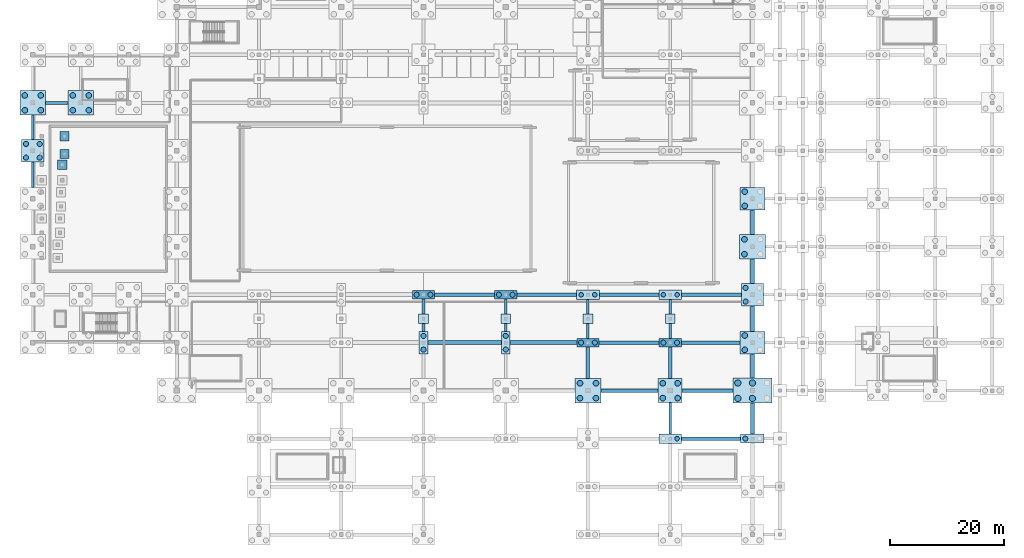
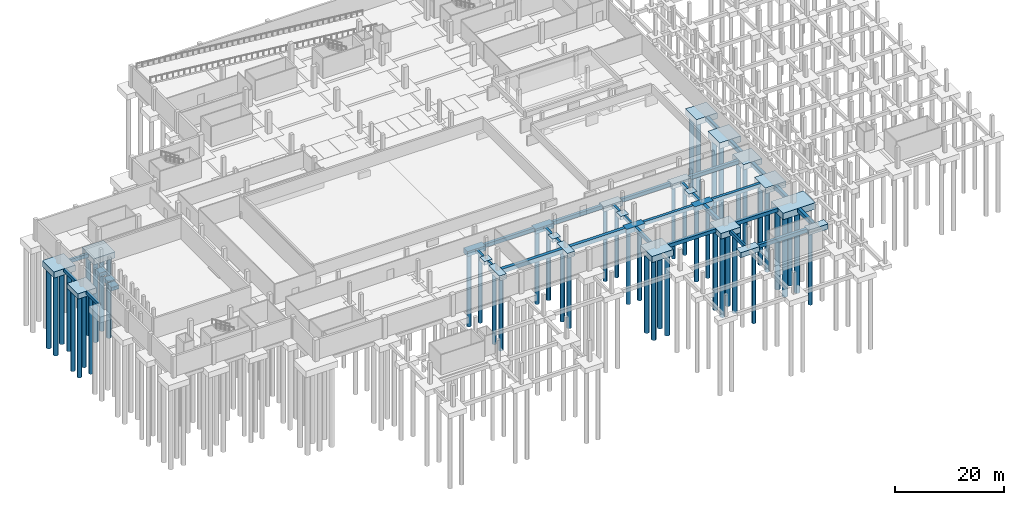
# One storey, part 3 of 26: 57 footings, 50 piles.
"""IFC4 building model written with IfcOpenShell, lengths in metres."""

from ifc_helpers import new_model, si_unit, direction, frame, origin, origin_2d, place, context, subcontext, project, spatial, rectangle, circle, extrude, material, material_profile, profile_set, type_object, element, save


model = new_model("IFC4")

# Units and contexts
model_context = context("Model", 3, precision=1e-05, world=origin(), true_north=direction((0.0, 1.0)))
body_context = subcontext(model_context, "Body", "Model", "MODEL_VIEW")
ifc_project = project(units=[si_unit("LENGTHUNIT", "METRE"), si_unit("AREAUNIT", "SQUARE_METRE"), si_unit("VOLUMEUNIT", "CUBIC_METRE"), si_unit("PLANEANGLEUNIT", "RADIAN"), si_unit("MASSUNIT", "GRAM", prefix="KILO"), si_unit("THERMODYNAMICTEMPERATUREUNIT", "KELVIN")], contexts=[model_context])

# Site, building, storey
site_placement = place(None, origin())
site = spatial("IfcSite", under=ifc_project, at=site_placement, CompositionType="ELEMENT")
building_placement = place(site_placement, origin())
building = spatial("IfcBuilding", under=site, at=building_placement, Name="Nduvali Passage Aquatics Centre", CompositionType="ELEMENT")
storey_placement = place(building_placement, frame((0.0, 0.0, -4.800048828125)))
storey = spatial("IfcBuildingStorey", under=building, at=storey_placement, Name="B01", CompositionType="ELEMENT", Elevation=-4.800048828125)

# Footings
ifc_material = material(Name="Concrete C40/50", Category="concrete")
footing_type_1 = type_object("IfcFootingType", Name="STR-GB-1", PredefinedType="FOOTING_BEAM", material=ifc_material)
footing_1_placement = place(storey_placement, frame((118.77490234375, 16.800048828125, -0.7998046875), z_axis=(0.0, 0.0, 1.0), x_axis=(1.0, 0.0, 0.0)))
element("IfcFooting", 1, at=footing_1_placement, inside=storey, type_object=footing_type_1, Name="Ground Beam X-0016", PredefinedType="FOOTING_BEAM", context=body_context, shape_type="SweptSolid", body=[
    extrude(rectangle(XDim=10.35009765625, YDim=0.60009765625, at=origin_2d()), origin(), (0.0, 0.0, 1.0), 0.800048828125),
])
footing_2_placement = place(storey_placement, frame((104.47509765625, 25.199951171875, -0.7998046875), z_axis=(0.0, 0.0, 1.0), x_axis=(1.0, 0.0, 0.0)))
element("IfcFooting", 2, at=footing_2_placement, inside=storey, type_object=footing_type_1, Name="Ground Beam X-0023", PredefinedType="FOOTING_BEAM", context=body_context, shape_type="SweptSolid", body=[
    extrude(rectangle(XDim=10.050048828125, YDim=0.60009765625, at=origin_2d()), origin(), (0.0, 0.0, 1.0), 0.800048828125),
])
footing_3_placement = place(storey_placement, frame((118.14990234375, 25.199951171875, -0.7998046875), z_axis=(0.0, 0.0, 1.0), x_axis=(1.0, 0.0, 0.0)))
element("IfcFooting", 3, at=footing_3_placement, inside=storey, type_object=footing_type_1, Name="Ground Beam X-0024", PredefinedType="FOOTING_BEAM", context=body_context, shape_type="SweptSolid", body=[
    extrude(rectangle(XDim=8.89990234375, YDim=0.60009765625, at=origin_2d()), origin(), (0.0, 0.0, 1.0), 0.800048828125),
])
footing_4_placement = place(storey_placement, frame((104.39990234375, 33.60009765625, -0.7998046875), z_axis=(0.0, 0.0, 1.0), x_axis=(1.0, 0.0, 0.0)))
element("IfcFooting", 4, at=footing_4_placement, inside=storey, type_object=footing_type_1, Name="Ground Beam X-0038", PredefinedType="FOOTING_BEAM", context=body_context, shape_type="SweptSolid", body=[
    extrude(rectangle(XDim=10.5, YDim=0.60009765625, at=origin_2d()), origin(), (0.0, 0.0, 1.0), 0.800048828125),
])
footing_5_placement = place(storey_placement, frame((118.675048828125, 33.60009765625, -0.7998046875), z_axis=(0.0, 0.0, 1.0), x_axis=(1.0, 0.0, 0.0)))
element("IfcFooting", 5, at=footing_5_placement, inside=storey, type_object=footing_type_1, Name="Ground Beam X-0039", PredefinedType="FOOTING_BEAM", context=body_context, shape_type="SweptSolid", body=[
    extrude(rectangle(XDim=10.25, YDim=0.60009765625, at=origin_2d()), origin(), (0.0, 0.0, 1.0), 0.800048828125),
])
footing_6_placement = place(storey_placement, frame((75.60009765625, 42.0, -0.7998046875), z_axis=(0.0, 0.0, 1.0), x_axis=(1.0, 0.0, 0.0)))
element("IfcFooting", 6, at=footing_6_placement, inside=storey, type_object=footing_type_1, Name="Ground Beam X-0052", PredefinedType="FOOTING_BEAM", context=body_context, shape_type="SweptSolid", body=[
    extrude(rectangle(XDim=10.5, YDim=0.60009765625, at=origin_2d()), origin(), (0.0, 0.0, 1.0), 0.800048828125),
])
footing_7_placement = place(storey_placement, frame((89.97509765625, 42.0, -0.7998046875), z_axis=(0.0, 0.0, 1.0), x_axis=(1.0, 0.0, 0.0)))
element("IfcFooting", 7, at=footing_7_placement, inside=storey, type_object=footing_type_1, Name="Ground Beam X-0053", PredefinedType="FOOTING_BEAM", context=body_context, shape_type="SweptSolid", body=[
    extrude(rectangle(XDim=10.449951171875, YDim=0.60009765625, at=origin_2d()), origin(), (0.0, 0.0, 1.0), 0.800048828125),
])
footing_8_placement = place(storey_placement, frame((104.39990234375, 42.0, -0.7998046875), z_axis=(0.0, 0.0, 1.0), x_axis=(1.0, 0.0, 0.0)))
element("IfcFooting", 8, at=footing_8_placement, inside=storey, type_object=footing_type_1, Name="Ground Beam X-0054", PredefinedType="FOOTING_BEAM", context=body_context, shape_type="SweptSolid", body=[
    extrude(rectangle(XDim=10.39990234375, YDim=0.60009765625, at=origin_2d()), origin(), (0.0, 0.0, 1.0), 0.800048828125),
])
footing_9_placement = place(storey_placement, frame((118.824951171875, 42.0, -0.7998046875), z_axis=(0.0, 0.0, 1.0), x_axis=(1.0, 0.0, 0.0)))
element("IfcFooting", 9, at=footing_9_placement, inside=storey, type_object=footing_type_1, Name="Ground Beam X-0055", PredefinedType="FOOTING_BEAM", context=body_context, shape_type="SweptSolid", body=[
    extrude(rectangle(XDim=10.449951171875, YDim=0.60009765625, at=origin_2d()), origin(), (0.0, 0.0, 1.0), 0.800048828125),
])
footing_10_placement = place(storey_placement, frame((97.199951171875, 30.10009765625, -0.7998046875), z_axis=(0.0, 0.0, 1.0), x_axis=(0.0, 1.0, 0.0)))
element("IfcFooting", 10, at=footing_10_placement, inside=storey, type_object=footing_type_1, Name="Ground Beam Y-0214", PredefinedType="FOOTING_BEAM", context=body_context, shape_type="SweptSolid", body=[
    extrude(rectangle(XDim=5.5, YDim=0.60009765625, at=origin_2d()), origin(), (0.0, 0.0, 1.0), 0.800048828125),
])
footing_11_placement = place(storey_placement, frame((111.60009765625, 30.074951171875, -0.7998046875), z_axis=(0.0, 0.0, 1.0), x_axis=(0.0, 1.0, 0.0)))
element("IfcFooting", 11, at=footing_11_placement, inside=storey, type_object=footing_type_1, Name="Ground Beam Y-0227", PredefinedType="FOOTING_BEAM", context=body_context, shape_type="SweptSolid", body=[
    extrude(rectangle(XDim=5.550048828125, YDim=0.60009765625, at=origin_2d()), origin(), (0.0, 0.0, 1.0), 0.800048828125),
])
footing_type_2 = type_object("IfcFootingType", Name="STR-GB-2", PredefinedType="FOOTING_BEAM", material=ifc_material)
footing_12_placement = place(storey_placement, frame((4.199951171875, 75.60009765625, -0.75), z_axis=(0.0, 0.0, 1.0), x_axis=(1.0, 0.0, 0.0)))
element("IfcFooting", 12, at=footing_12_placement, inside=storey, type_object=footing_type_2, Name="Ground Beam X-0082", PredefinedType="FOOTING_BEAM", context=body_context, shape_type="SweptSolid", body=[
    extrude(rectangle(XDim=3.89990234375, YDim=0.5, at=origin_2d()), origin(), (0.0, 0.0, 1.0), 0.75),
])
footing_type_3 = type_object("IfcFootingType", Name="STR-GB-3", PredefinedType="FOOTING_BEAM", material=ifc_material)
footing_13_placement = place(storey_placement, frame((126.0, 20.300048828125, -0.89990234375), z_axis=(0.0, 0.0, 1.0), x_axis=(0.0, 1.0, 0.0)))
element("IfcFooting", 13, at=footing_13_placement, inside=storey, type_object=footing_type_3, Name="Ground Beam Y-0239", PredefinedType="FOOTING_BEAM", context=body_context, shape_type="SweptSolid", body=[
    extrude(rectangle(XDim=5.39990234375, YDim=0.64990234375, at=origin_2d()), origin(), (0.0, 0.0, 1.0), 0.89990234375),
])
footing_14_placement = place(storey_placement, frame((126.0, 29.5, -0.89990234375), z_axis=(0.0, 0.0, 1.0), x_axis=(0.0, 1.0, 0.0)))
element("IfcFooting", 14, at=footing_14_placement, inside=storey, type_object=footing_type_3, Name="Ground Beam Y-0240", PredefinedType="FOOTING_BEAM", context=body_context, shape_type="SweptSolid", body=[
    extrude(rectangle(XDim=4.199951171875, YDim=0.64990234375, at=origin_2d()), origin(), (0.0, 0.0, 1.0), 0.89990234375),
])
footing_15_placement = place(storey_placement, frame((126.0, 37.824951171875, -0.89990234375), z_axis=(0.0, 0.0, 1.0), x_axis=(0.0, 1.0, 0.0)))
element("IfcFooting", 15, at=footing_15_placement, inside=storey, type_object=footing_type_3, Name="Ground Beam Y-0241", PredefinedType="FOOTING_BEAM", context=body_context, shape_type="SweptSolid", body=[
    extrude(rectangle(XDim=4.449951171875, YDim=0.64990234375, at=origin_2d()), origin(), (0.0, 0.0, 1.0), 0.89990234375),
])
footing_16_placement = place(storey_placement, frame((126.0, 46.10009765625, -0.89990234375), z_axis=(0.0, 0.0, 1.0), x_axis=(0.0, 1.0, 0.0)))
element("IfcFooting", 16, at=footing_16_placement, inside=storey, type_object=footing_type_3, Name="Ground Beam Y-0242", PredefinedType="FOOTING_BEAM", context=body_context, shape_type="SweptSolid", body=[
    extrude(rectangle(XDim=4.300048828125, YDim=0.64990234375, at=origin_2d()), origin(), (0.0, 0.0, 1.0), 0.89990234375),
])
footing_17_placement = place(storey_placement, frame((126.0, 54.675048828125, -0.89990234375), z_axis=(0.0, 0.0, 1.0), x_axis=(0.0, 1.0, 0.0)))
element("IfcFooting", 17, at=footing_17_placement, inside=storey, type_object=footing_type_3, Name="Ground Beam Y-0243", PredefinedType="FOOTING_BEAM", context=body_context, shape_type="SweptSolid", body=[
    extrude(rectangle(XDim=4.25, YDim=0.64990234375, at=origin_2d()), origin(), (0.0, 0.0, 1.0), 0.89990234375),
])
footing_type_4 = type_object("IfcFootingType", Name="STR-GB-5", PredefinedType="FOOTING_BEAM", material=ifc_material)
footing_18_placement = place(storey_placement, frame((75.60009765625, 33.60009765625, -0.94970703125), z_axis=(0.0, 0.0, 1.0), x_axis=(1.0, 0.0, 0.0)))
element("IfcFooting", 18, at=footing_18_placement, inside=storey, type_object=footing_type_4, Name="Ground Beam X-0036", PredefinedType="FOOTING_BEAM", context=body_context, shape_type="SweptSolid", body=[
    extrude(rectangle(XDim=12.85009765625, YDim=0.699951171875, at=origin_2d()), origin(), (0.0, 0.0, 1.0), 0.949951171875),
])
footing_19_placement = place(storey_placement, frame((89.41259765625, 33.60009765625, -0.94970703125), z_axis=(0.0, 0.0, 1.0), x_axis=(1.0, 0.0, 0.0)))
element("IfcFooting", 19, at=footing_19_placement, inside=storey, type_object=footing_type_4, Name="Ground Beam X-0037", PredefinedType="FOOTING_BEAM", context=body_context, shape_type="SweptSolid", body=[
    extrude(rectangle(XDim=11.675048828125, YDim=0.699951171875, at=origin_2d()), origin(), (0.0, 0.0, 1.0), 0.949951171875),
])
footing_type_5 = type_object("IfcFootingType", Name="STR-GB-6", PredefinedType="FOOTING_BEAM", material=ifc_material)
footing_20_placement = place(storey_placement, frame((0.0, 63.02490234375, -0.69970703125), z_axis=(0.0, 0.0, 1.0), x_axis=(0.0, 1.0, 0.0)))
element("IfcFooting", 20, at=footing_20_placement, inside=storey, type_object=footing_type_5, Name="Ground Beam Y-0150", PredefinedType="FOOTING_BEAM", context=body_context, shape_type="SweptSolid", body=[
    extrude(rectangle(XDim=4.449951171875, YDim=0.449951171875, at=origin_2d()), origin(), (0.0, 0.0, 1.0), 0.699951171875),
])
footing_21_placement = place(storey_placement, frame((0.0, 71.300048828125, -0.69970703125), z_axis=(0.0, 0.0, 1.0), x_axis=(0.0, 1.0, 0.0)))
element("IfcFooting", 21, at=footing_21_placement, inside=storey, type_object=footing_type_5, Name="Ground Beam Y-0151", PredefinedType="FOOTING_BEAM", context=body_context, shape_type="SweptSolid", body=[
    extrude(rectangle(XDim=4.300048828125, YDim=0.449951171875, at=origin_2d()), origin(), (0.0, 0.0, 1.0), 0.699951171875),
])
footing_22_placement = place(storey_placement, frame((68.39990234375, 36.262451171875, -0.69970703125), z_axis=(0.0, 0.0, 1.0), x_axis=(0.0, 1.0, 0.0)))
element("IfcFooting", 22, at=footing_22_placement, inside=storey, type_object=footing_type_5, Name="Ground Beam Y-0193", PredefinedType="FOOTING_BEAM", context=body_context, shape_type="SweptSolid", body=[
    extrude(rectangle(XDim=1.375, YDim=0.449951171875, at=origin_2d()), origin(), (0.0, 0.0, 1.0), 0.699951171875),
])
footing_23_placement = place(storey_placement, frame((68.39990234375, 39.949951171875, -0.69970703125), z_axis=(0.0, 0.0, 1.0), x_axis=(0.0, 1.0, 0.0)))
element("IfcFooting", 23, at=footing_23_placement, inside=storey, type_object=footing_type_5, Name="Ground Beam Y-0194", PredefinedType="FOOTING_BEAM", context=body_context, shape_type="SweptSolid", body=[
    extrude(rectangle(XDim=2.60009765625, YDim=0.449951171875, at=origin_2d()), origin(), (0.0, 0.0, 1.0), 0.699951171875),
])
footing_24_placement = place(storey_placement, frame((82.800048828125, 36.262451171875, -0.69970703125), z_axis=(0.0, 0.0, 1.0), x_axis=(0.0, 1.0, 0.0)))
element("IfcFooting", 24, at=footing_24_placement, inside=storey, type_object=footing_type_5, Name="Ground Beam Y-0203", PredefinedType="FOOTING_BEAM", context=body_context, shape_type="SweptSolid", body=[
    extrude(rectangle(XDim=1.375, YDim=0.449951171875, at=origin_2d()), origin(), (0.0, 0.0, 1.0), 0.699951171875),
])
for number, where, z_axis, x_axis, name in (
    (25, (82.800048828125, 39.949951171875, -0.69970703125), (0.0, 0.0, 1.0), (0.0, 1.0, 0.0), "Ground Beam Y-0204"),
    (26, (97.199951171875, 35.64990234375, -0.69970703125), (0.0, 0.0, 1.0), (0.0, 1.0, 0.0), "Ground Beam Y-0215"),
):
    element("IfcFooting", number, at=place(storey_placement, frame(where, z_axis=z_axis, x_axis=x_axis)), inside=storey, type_object=footing_type_5, Name=name, PredefinedType="FOOTING_BEAM", context=body_context, shape_type="SweptSolid", body=[
        extrude(rectangle(XDim=2.60009765625, YDim=0.449951171875, at=origin_2d()), origin(), (0.0, 0.0, 1.0), 0.699951171875),
    ])
footing_25_placement = place(storey_placement, frame((97.199951171875, 39.91259765625, -0.69970703125), z_axis=(0.0, 0.0, 1.0), x_axis=(0.0, 1.0, 0.0)))
element("IfcFooting", 27, at=footing_25_placement, inside=storey, type_object=footing_type_5, Name="Ground Beam Y-0216", PredefinedType="FOOTING_BEAM", context=body_context, shape_type="SweptSolid", body=[
    extrude(rectangle(XDim=2.52490234375, YDim=0.449951171875, at=origin_2d()), origin(), (0.0, 0.0, 1.0), 0.699951171875),
])
footing_26_placement = place(storey_placement, frame((111.60009765625, 20.362548828125, -0.69970703125), z_axis=(0.0, 0.0, 1.0), x_axis=(0.0, 1.0, 0.0)))
element("IfcFooting", 28, at=footing_26_placement, inside=storey, type_object=footing_type_5, Name="Ground Beam Y-0226", PredefinedType="FOOTING_BEAM", context=body_context, shape_type="SweptSolid", body=[
    extrude(rectangle(XDim=5.47509765625, YDim=0.449951171875, at=origin_2d()), origin(), (0.0, 0.0, 1.0), 0.699951171875),
])
footing_27_placement = place(storey_placement, frame((111.60009765625, 35.64990234375, -0.69970703125), z_axis=(0.0, 0.0, 1.0), x_axis=(0.0, 1.0, 0.0)))
element("IfcFooting", 29, at=footing_27_placement, inside=storey, type_object=footing_type_5, Name="Ground Beam Y-0228", PredefinedType="FOOTING_BEAM", context=body_context, shape_type="SweptSolid", body=[
    extrude(rectangle(XDim=2.60009765625, YDim=0.449951171875, at=origin_2d()), origin(), (0.0, 0.0, 1.0), 0.699951171875),
])
footing_28_placement = place(storey_placement, frame((111.60009765625, 39.91259765625, -0.69970703125), z_axis=(0.0, 0.0, 1.0), x_axis=(0.0, 1.0, 0.0)))
element("IfcFooting", 30, at=footing_28_placement, inside=storey, type_object=footing_type_5, Name="Ground Beam Y-0229", PredefinedType="FOOTING_BEAM", context=body_context, shape_type="SweptSolid", body=[
    extrude(rectangle(XDim=2.52490234375, YDim=0.449951171875, at=origin_2d()), origin(), (0.0, 0.0, 1.0), 0.699951171875),
])
footing_type_6 = type_object("IfcFootingType", Name="STR-PC-2A", PredefinedType="PILE_CAP", material=ifc_material)
for number, where, z_axis, x_axis, name in (
    (31, (68.39990234375, 42.0, -1.10009765625), (0.0, 0.0, 1.0), (1.0, 0.0, 0.0), "Pile Cap PC2A at (68.4, 42.0)"),
    (32, (82.800048828125, 42.0, -1.10009765625), (0.0, 0.0, 1.0), (1.0, 0.0, 0.0), "Pile Cap PC2A at (82.8, 42.0)"),
    (33, (97.199951171875, 33.60009765625, -1.10009765625), (0.0, 0.0, 1.0), (1.0, 0.0, 0.0), "Pile Cap PC2A at (97.2, 33.6)"),
    (34, (111.60009765625, 33.60009765625, -1.10009765625), (0.0, 0.0, 1.0), (1.0, 0.0, 0.0), "Pile Cap PC2A at (111.6, 33.6)"),
):
    element("IfcFooting", number, at=place(storey_placement, frame(where, z_axis=z_axis, x_axis=x_axis)), inside=storey, type_object=footing_type_6, Name=name, PredefinedType="PILE_CAP", context=body_context, shape_type="SweptSolid", body=[
        extrude(rectangle(XDim=3.89990234375, YDim=1.5, at=origin_2d()), origin(), (0.0, 0.0, 1.0), 1.10009765625),
    ])
footing_type_7 = type_object("IfcFootingType", Name="STR-PC-2B", PredefinedType="PILE_CAP", material=ifc_material)
for number, where, z_axis, x_axis, name in (
    (35, (68.39990234375, 33.60009765625, -1.10009765625), (0.0, 0.0, 1.0), (1.0, 0.0, 0.0), "Pile Cap PC2B at (68.4, 33.6)"),
    (36, (82.800048828125, 33.60009765625, -1.10009765625), (0.0, 0.0, 1.0), (1.0, 0.0, 0.0), "Pile Cap PC2B at (82.8, 33.6)"),
):
    element("IfcFooting", number, at=place(storey_placement, frame(where, z_axis=z_axis, x_axis=x_axis)), inside=storey, type_object=footing_type_7, Name=name, PredefinedType="PILE_CAP", context=body_context, shape_type="SweptSolid", body=[
        extrude(rectangle(XDim=1.550048828125, YDim=3.949951171875, at=origin_2d()), origin(), (0.0, 0.0, 1.0), 1.10009765625),
    ])
footing_type_8 = type_object("IfcFootingType", Name="STR-PC-2C", PredefinedType="PILE_CAP", material=ifc_material)
footing_29_placement = place(storey_placement, frame((126.0, 16.800048828125, -1.14990234375), z_axis=(0.0, 0.0, 1.0), x_axis=(1.0, 0.0, 0.0)))
element("IfcFooting", 37, at=footing_29_placement, inside=storey, type_object=footing_type_8, Name="Pile Cap PC2C at (126.0, 16.8)", PredefinedType="PILE_CAP", context=body_context, shape_type="SweptSolid", body=[
    extrude(rectangle(XDim=4.10009765625, YDim=1.60009765625, at=origin_2d()), origin(), (0.0, 0.0, 1.0), 1.14990234375),
])
footing_type_9 = type_object("IfcFootingType", Name="STR-PC-2D", PredefinedType="PILE_CAP", material=ifc_material)
for number, where, z_axis, x_axis, name in (
    (38, (97.199951171875, 42.0, -1.1201171875), (0.0, 0.0, 1.0), (1.0, 0.0, 0.0), "Pile Cap PC2D at (97.2, 42.0)"),
    (39, (111.60009765625, 16.800048828125, -1.1201171875), (0.0, 0.0, 1.0), (1.0, 0.0, 0.0), "Pile Cap PC2D at (111.6, 16.8)"),
    (40, (111.60009765625, 42.0, -1.1201171875), (0.0, 0.0, 1.0), (1.0, 0.0, 0.0), "Pile Cap PC2D at (111.6, 42.0)"),
):
    element("IfcFooting", number, at=place(storey_placement, frame(where, z_axis=z_axis, x_axis=x_axis)), inside=storey, type_object=footing_type_9, Name=name, PredefinedType="PILE_CAP", context=body_context, shape_type="SweptSolid", body=[
        extrude(rectangle(XDim=4.0, YDim=1.64990234375, at=origin_2d()), origin(), (0.0, 0.0, 1.0), 1.1201171875),
    ])
footing_type_10 = type_object("IfcFootingType", Name="STR-PC-4A", PredefinedType="PILE_CAP", material=ifc_material)
for number, where, z_axis, x_axis, name in (
    (41, (0.0, 67.199951171875, -1.19970703125), (0.0, 0.0, 1.0), (1.0, 0.0, 0.0), "Pile Cap PC4A at (0.0, 67.2)"),
    (42, (126.0, 42.0, -1.19970703125), (0.0, 0.0, 1.0), (1.0, 0.0, 0.0), "Pile Cap PC4A at (126.0, 42.0)"),
):
    element("IfcFooting", number, at=place(storey_placement, frame(where, z_axis=z_axis, x_axis=x_axis)), inside=storey, type_object=footing_type_10, Name=name, PredefinedType="PILE_CAP", context=body_context, shape_type="SweptSolid", body=[
        extrude(rectangle(XDim=3.89990234375, YDim=3.89990234375, at=origin_2d()), origin(), (0.0, 0.0, 1.0), 1.199951171875),
    ])
footing_type_11 = type_object("IfcFootingType", Name="STR-PC-4B", PredefinedType="PILE_CAP", material=ifc_material)
footing_30_placement = place(storey_placement, frame((111.60009765625, 25.199951171875, -1.25), z_axis=(0.0, 0.0, 1.0), x_axis=(1.0, 0.0, 0.0)))
element("IfcFooting", 43, at=footing_30_placement, inside=storey, type_object=footing_type_11, Name="Pile Cap PC4B at (111.6, 25.2)", PredefinedType="PILE_CAP", context=body_context, shape_type="SweptSolid", body=[
    extrude(rectangle(XDim=4.199951171875, YDim=4.199951171875, at=origin_2d()), origin(), (0.0, 0.0, 1.0), 1.25),
])
footing_type_12 = type_object("IfcFootingType", Name="STR-PC-4C", PredefinedType="PILE_CAP", material=ifc_material)
for number, where, z_axis, x_axis, name in (
    (44, (126.0, 33.60009765625, -1.2998046875), (0.0, 0.0, 1.0), (1.0, 0.0, 0.0), "Pile Cap PC4C at (126.0, 33.6)"),
    (45, (126.0, 58.800048828125, -1.2998046875), (0.0, 0.0, 1.0), (1.0, 0.0, 0.0), "Pile Cap PC4C at (126.0, 58.8)"),
):
    element("IfcFooting", number, at=place(storey_placement, frame(where, z_axis=z_axis, x_axis=x_axis)), inside=storey, type_object=footing_type_12, Name=name, PredefinedType="PILE_CAP", context=body_context, shape_type="SweptSolid", body=[
        extrude(rectangle(XDim=4.39990234375, YDim=4.0, at=origin_2d()), origin(), (0.0, 0.0, 1.0), 1.300048828125),
    ])
footing_type_13 = type_object("IfcFootingType", Name="STR-PC-4D", PredefinedType="PILE_CAP", material=ifc_material)
for number, where, z_axis, x_axis, name in (
    (46, (0.0, 75.60009765625, -1.35009765625), (0.0, 0.0, 1.0), (1.0, 0.0, 0.0), "Pile Cap PC4D at (0.0, 75.6)"),
    (47, (8.39990234375, 75.60009765625, -1.35009765625), (0.0, 0.0, 1.0), (1.0, 0.0, 0.0), "Pile Cap PC4D at (8.4, 75.6)"),
    (48, (97.199951171875, 25.199951171875, -1.35009765625), (0.0, 0.0, 1.0), (1.0, 0.0, 0.0), "Pile Cap PC4D at (97.2, 25.2)"),
    (49, (126.0, 50.39990234375, -1.35009765625), (0.0, 0.0, 1.0), (1.0, 0.0, 0.0), "Pile Cap PC4D at (126.0, 50.4)"),
):
    element("IfcFooting", number, at=place(storey_placement, frame(where, z_axis=z_axis, x_axis=x_axis)), inside=storey, type_object=footing_type_13, Name=name, PredefinedType="PILE_CAP", context=body_context, shape_type="SweptSolid", body=[
        extrude(rectangle(XDim=4.5, YDim=4.300048828125, at=origin_2d()), origin(), (0.0, 0.0, 1.0), 1.35009765625),
    ])
footing_type_14 = type_object("IfcFootingType", Name="STR-PC-6B", PredefinedType="PILE_CAP", material=ifc_material)
footing_31_placement = place(storey_placement, frame((126.0, 25.199951171875, -1.44970703125), z_axis=(0.0, 0.0, 1.0), x_axis=(1.0, 0.0, 0.0)))
element("IfcFooting", 50, at=footing_31_placement, inside=storey, type_object=footing_type_14, Name="Pile Cap PC6B at (126.0, 25.2)", PredefinedType="PILE_CAP", context=body_context, shape_type="SweptSolid", body=[
    extrude(rectangle(XDim=6.800048828125, YDim=4.39990234375, at=origin_2d()), origin(), (0.0, 0.0, 1.0), 1.449951171875),
])
footing_type_15 = type_object("IfcFootingType", Name="STR-PF-8", PredefinedType="PAD_FOOTING", material=ifc_material)
for number, where, z_axis, x_axis, name in (
    (51, (68.39990234375, 37.800048828125, -0.7998046875), (0.0, 0.0, 1.0), (1.0, 0.0, 0.0), "Pad Footing PF8 at (68.4, 37.8)"),
    (52, (82.800048828125, 37.800048828125, -0.7998046875), (0.0, 0.0, 1.0), (1.0, 0.0, 0.0), "Pad Footing PF8 at (82.8, 37.8)"),
    (53, (97.199951171875, 37.800048828125, -0.7998046875), (0.0, 0.0, 1.0), (1.0, 0.0, 0.0), "Pad Footing PF8 at (97.2, 37.8)"),
    (54, (111.60009765625, 37.800048828125, -0.7998046875), (0.0, 0.0, 1.0), (1.0, 0.0, 0.0), "Pad Footing PF8 at (111.6, 37.8)"),
):
    element("IfcFooting", number, at=place(storey_placement, frame(where, z_axis=z_axis, x_axis=x_axis)), inside=storey, type_object=footing_type_15, Name=name, PredefinedType="PAD_FOOTING", context=body_context, shape_type="SweptSolid", body=[
        extrude(rectangle(XDim=1.699951171875, YDim=1.699951171875, at=origin_2d()), origin(), (0.0, 0.0, 1.0), 0.800048828125),
    ])
footing_type_16 = type_object("IfcFootingType", Name="STR-PF-DIVE", PredefinedType="PAD_FOOTING", material=ifc_material)
for number, where, z_axis, x_axis, name in (
    (55, (5.14990234375, 64.75, -0.85009765625), (0.0, 0.0, 1.0), (1.0, 0.0, 0.0), "Pad Footing PF5 at (5.2, 64.8)"),
    (56, (5.550048828125, 66.64990234375, -0.85009765625), (0.0, 0.0, 1.0), (1.0, 0.0, 0.0), "Pad Footing PF5 at (5.5, 66.7)"),
    (57, (5.550048828125, 69.75, -0.85009765625), (0.0, 0.0, 1.0), (1.0, 0.0, 0.0), "Pad Footing PF5 at (5.5, 69.8)"),
):
    element("IfcFooting", number, at=place(storey_placement, frame(where, z_axis=z_axis, x_axis=x_axis)), inside=storey, type_object=footing_type_16, Name=name, PredefinedType="PAD_FOOTING", context=body_context, shape_type="SweptSolid", body=[
        extrude(rectangle(XDim=1.60009765625, YDim=1.60009765625, at=origin_2d()), origin(), (0.0, 0.0, 1.0), 0.85009765625),
    ])

# Piles
ifc_material_profile_1 = material_profile(ifc_material, circle(Radius=0.5, at=origin_2d()), Name="PILE D1000")
ifc_profile_set_1 = profile_set([ifc_material_profile_1], Name="Concrete C40/50")
pile_type_1 = type_object("IfcPileType", Name="STR-PILE-D1000", PredefinedType="BORED", material=ifc_profile_set_1)
for number, where, z_axis, x_axis, name in (
    (58, (-1.39990234375, 74.300048828125, -1.25), (0.0, 0.0, -1.0), (1.0, 0.0, 0.0), "Bored Pile 005-1"),
    (59, (1.39990234375, 74.300048828125, -1.25), (0.0, 0.0, -1.0), (1.0, 0.0, 0.0), "Bored Pile 005-2"),
    (60, (-1.39990234375, 76.89990234375, -1.25), (0.0, 0.0, -1.0), (1.0, 0.0, 0.0), "Bored Pile 005-3"),
    (61, (1.39990234375, 76.89990234375, -1.25), (0.0, 0.0, -1.0), (1.0, 0.0, 0.0), "Bored Pile 005-4"),
    (62, (7.0, 74.300048828125, -1.25), (0.0, 0.0, -1.0), (1.0, 0.0, 0.0), "Bored Pile 029-1"),
    (63, (9.800048828125, 74.300048828125, -1.25), (0.0, 0.0, -1.0), (1.0, 0.0, 0.0), "Bored Pile 029-2"),
    (64, (7.0, 76.89990234375, -1.25), (0.0, 0.0, -1.0), (1.0, 0.0, 0.0), "Bored Pile 029-3"),
    (65, (9.800048828125, 76.89990234375, -1.25), (0.0, 0.0, -1.0), (1.0, 0.0, 0.0), "Bored Pile 029-4"),
    (66, (95.800048828125, 23.89990234375, -1.25), (0.0, 0.0, -1.0), (1.0, 0.0, 0.0), "Bored Pile 101-1"),
    (67, (98.60009765625, 23.89990234375, -1.25), (0.0, 0.0, -1.0), (1.0, 0.0, 0.0), "Bored Pile 101-2"),
    (68, (95.800048828125, 26.5, -1.25), (0.0, 0.0, -1.0), (1.0, 0.0, 0.0), "Bored Pile 101-3"),
    (69, (98.60009765625, 26.5, -1.25), (0.0, 0.0, -1.0), (1.0, 0.0, 0.0), "Bored Pile 101-4"),
):
    element("IfcPile", number, at=place(storey_placement, frame(where, z_axis=z_axis, x_axis=x_axis)), inside=storey, type_object=pile_type_1, Name=name, PredefinedType="BORED", context=body_context, shape_type="SweptSolid", body=[
        extrude(circle(Radius=0.5, at=origin_2d()), origin(), (0.0, 0.0, 1.0), 17.949951171875),
    ])
for number, where, z_axis, x_axis, name in (
    (70, (110.300048828125, 23.89990234375, -1.14990234375), (0.0, 0.0, -1.0), (1.0, 0.0, 0.0), "Bored Pile 116-1"),
    (71, (112.89990234375, 23.89990234375, -1.14990234375), (0.0, 0.0, -1.0), (1.0, 0.0, 0.0), "Bored Pile 116-2"),
    (72, (110.300048828125, 26.5, -1.14990234375), (0.0, 0.0, -1.0), (1.0, 0.0, 0.0), "Bored Pile 116-3"),
    (73, (112.89990234375, 26.5, -1.14990234375), (0.0, 0.0, -1.0), (1.0, 0.0, 0.0), "Bored Pile 116-4"),
):
    element("IfcPile", number, at=place(storey_placement, frame(where, z_axis=z_axis, x_axis=x_axis)), inside=storey, type_object=pile_type_1, Name=name, PredefinedType="BORED", context=body_context, shape_type="SweptSolid", body=[
        extrude(circle(Radius=0.5, at=origin_2d()), origin(), (0.0, 0.0, 1.0), 18.050048828125),
    ])
for number, where, z_axis, x_axis, name in (
    (74, (124.64990234375, 32.35009765625, -1.199951171875), (0.0, 0.0, -1.0), (1.0, 0.0, 0.0), "Bored Pile 132-1"),
    (75, (124.64990234375, 34.85009765625, -1.199951171875), (0.0, 0.0, -1.0), (1.0, 0.0, 0.0), "Bored Pile 132-3"),
):
    element("IfcPile", number, at=place(storey_placement, frame(where, z_axis=z_axis, x_axis=x_axis)), inside=storey, type_object=pile_type_1, Name=name, PredefinedType="BORED", context=body_context, shape_type="SweptSolid", body=[
        extrude(circle(Radius=0.5, at=origin_2d()), origin(), (0.0, 0.0, 1.0), 18.0),
    ])
for number, where, z_axis, x_axis, name in (
    (76, (124.60009765625, 49.10009765625, -1.25), (0.0, 0.0, -1.0), (1.0, 0.0, 0.0), "Bored Pile 134-1"),
    (77, (124.60009765625, 51.699951171875, -1.25), (0.0, 0.0, -1.0), (1.0, 0.0, 0.0), "Bored Pile 134-3"),
):
    element("IfcPile", number, at=place(storey_placement, frame(where, z_axis=z_axis, x_axis=x_axis)), inside=storey, type_object=pile_type_1, Name=name, PredefinedType="BORED", context=body_context, shape_type="SweptSolid", body=[
        extrude(circle(Radius=0.5, at=origin_2d()), origin(), (0.0, 0.0, 1.0), 17.949951171875),
    ])
for number, where, z_axis, x_axis, name in (
    (78, (124.64990234375, 57.550048828125, -1.199951171875), (0.0, 0.0, -1.0), (1.0, 0.0, 0.0), "Bored Pile 135-1"),
    (79, (124.64990234375, 60.050048828125, -1.199951171875), (0.0, 0.0, -1.0), (1.0, 0.0, 0.0), "Bored Pile 135-3"),
):
    element("IfcPile", number, at=place(storey_placement, frame(where, z_axis=z_axis, x_axis=x_axis)), inside=storey, type_object=pile_type_1, Name=name, PredefinedType="BORED", context=body_context, shape_type="SweptSolid", body=[
        extrude(circle(Radius=0.5, at=origin_2d()), origin(), (0.0, 0.0, 1.0), 18.0),
    ])
ifc_material_profile_2 = material_profile(ifc_material, circle(Radius=0.550048828125, at=origin_2d()), Name="PILE D1100")
ifc_profile_set_2 = profile_set([ifc_material_profile_2], Name="Concrete C40/50")
pile_type_2 = type_object("IfcPileType", Name="STR-PILE-D1100", PredefinedType="BORED", material=ifc_profile_set_2)
for number, where, z_axis, x_axis, name in (
    (80, (123.449951171875, 23.85009765625, -1.349853515625), (0.0, 0.0, -1.0), (1.0, 0.0, 0.0), "Bored Pile 131-1"),
    (81, (126.0, 23.85009765625, -1.349853515625), (0.0, 0.0, -1.0), (1.0, 0.0, 0.0), "Bored Pile 131-2"),
    (82, (123.449951171875, 26.550048828125, -1.349853515625), (0.0, 0.0, -1.0), (1.0, 0.0, 0.0), "Bored Pile 131-4"),
    (83, (126.0, 26.550048828125, -1.349853515625), (0.0, 0.0, -1.0), (1.0, 0.0, 0.0), "Bored Pile 131-5"),
):
    element("IfcPile", number, at=place(storey_placement, frame(where, z_axis=z_axis, x_axis=x_axis)), inside=storey, type_object=pile_type_2, Name=name, PredefinedType="BORED", context=body_context, shape_type="SweptSolid", body=[
        extrude(circle(Radius=0.550048828125, at=origin_2d()), origin(), (0.0, 0.0, 1.0), 17.85009765625),
    ])
ifc_material_profile_3 = material_profile(ifc_material, circle(Radius=0.39990234375, at=origin_2d()), Name="PILE D800")
ifc_profile_set_3 = profile_set([ifc_material_profile_3], Name="Concrete C40/50")
pile_type_3 = type_object("IfcPileType", Name="STR-PILE-D800", PredefinedType="BORED", material=ifc_profile_set_3)
for number, where, z_axis, x_axis, name in (
    (84, (96.0, 42.0, -1.02001953125), (0.0, 0.0, -1.0), (1.0, 0.0, 0.0), "Bored Pile 104-1"),
    (85, (98.39990234375, 42.0, -1.02001953125), (0.0, 0.0, -1.0), (1.0, 0.0, 0.0), "Bored Pile 104-2"),
    (86, (112.800048828125, 16.800048828125, -1.02001953125), (0.0, 0.0, -1.0), (1.0, 0.0, 0.0), "Bored Pile 115-2"),
    (87, (110.39990234375, 42.0, -1.02001953125), (0.0, 0.0, -1.0), (1.0, 0.0, 0.0), "Bored Pile 119-1"),
    (88, (112.800048828125, 42.0, -1.02001953125), (0.0, 0.0, -1.0), (1.0, 0.0, 0.0), "Bored Pile 119-2"),
):
    element("IfcPile", number, at=place(storey_placement, frame(where, z_axis=z_axis, x_axis=x_axis)), inside=storey, type_object=pile_type_3, Name=name, PredefinedType="BORED", context=body_context, shape_type="SweptSolid", body=[
        extrude(circle(Radius=0.39990234375, at=origin_2d()), origin(), (0.0, 0.0, 1.0), 16.179931640625),
    ])
ifc_material_profile_4 = material_profile(ifc_material, circle(Radius=0.449951171875, at=origin_2d()), Name="PILE D900")
ifc_profile_set_4 = profile_set([ifc_material_profile_4], Name="Concrete C40/50")
pile_type_4 = type_object("IfcPileType", Name="STR-PILE-D900", PredefinedType="BORED", material=ifc_profile_set_4)
for number, where, z_axis, x_axis, name in (
    (89, (-1.199951171875, 66.0, -1.099853515625), (0.0, 0.0, -1.0), (1.0, 0.0, 0.0), "Bored Pile 004-1"),
    (90, (1.199951171875, 66.0, -1.099853515625), (0.0, 0.0, -1.0), (1.0, 0.0, 0.0), "Bored Pile 004-2"),
    (91, (-1.199951171875, 68.39990234375, -1.099853515625), (0.0, 0.0, -1.0), (1.0, 0.0, 0.0), "Bored Pile 004-3"),
    (92, (1.199951171875, 68.39990234375, -1.099853515625), (0.0, 0.0, -1.0), (1.0, 0.0, 0.0), "Bored Pile 004-4"),
):
    element("IfcPile", number, at=place(storey_placement, frame(where, z_axis=z_axis, x_axis=x_axis)), inside=storey, type_object=pile_type_4, Name=name, PredefinedType="BORED", context=body_context, shape_type="SweptSolid", body=[
        extrude(circle(Radius=0.449951171875, at=origin_2d()), origin(), (0.0, 0.0, 1.0), 18.10009765625),
    ])
for number, where, z_axis, x_axis, name in (
    (93, (68.39990234375, 32.39990234375, -1.0), (0.0, 0.0, -1.0), (1.0, 0.0, 0.0), "Bored Pile 076-1"),
    (94, (68.39990234375, 34.800048828125, -1.0), (0.0, 0.0, -1.0), (1.0, 0.0, 0.0), "Bored Pile 076-2"),
    (95, (67.199951171875, 42.0, -1.0), (0.0, 0.0, -1.0), (1.0, 0.0, 0.0), "Bored Pile 078-1"),
    (96, (69.60009765625, 42.0, -1.0), (0.0, 0.0, -1.0), (1.0, 0.0, 0.0), "Bored Pile 078-2"),
    (97, (82.800048828125, 32.39990234375, -1.0), (0.0, 0.0, -1.0), (1.0, 0.0, 0.0), "Bored Pile 088-1"),
    (98, (82.800048828125, 34.800048828125, -1.0), (0.0, 0.0, -1.0), (1.0, 0.0, 0.0), "Bored Pile 088-2"),
    (99, (81.60009765625, 42.0, -1.0), (0.0, 0.0, -1.0), (1.0, 0.0, 0.0), "Bored Pile 090-1"),
    (100, (84.0, 42.0, -1.0), (0.0, 0.0, -1.0), (1.0, 0.0, 0.0), "Bored Pile 090-2"),
    (101, (96.0, 33.60009765625, -1.0), (0.0, 0.0, -1.0), (1.0, 0.0, 0.0), "Bored Pile 102-1"),
    (102, (98.39990234375, 33.60009765625, -1.0), (0.0, 0.0, -1.0), (1.0, 0.0, 0.0), "Bored Pile 102-2"),
    (103, (110.39990234375, 33.60009765625, -1.0), (0.0, 0.0, -1.0), (1.0, 0.0, 0.0), "Bored Pile 117-1"),
    (104, (112.800048828125, 33.60009765625, -1.0), (0.0, 0.0, -1.0), (1.0, 0.0, 0.0), "Bored Pile 117-2"),
):
    element("IfcPile", number, at=place(storey_placement, frame(where, z_axis=z_axis, x_axis=x_axis)), inside=storey, type_object=pile_type_4, Name=name, PredefinedType="BORED", context=body_context, shape_type="SweptSolid", body=[
        extrude(circle(Radius=0.449951171875, at=origin_2d()), origin(), (0.0, 0.0, 1.0), 16.199951171875),
    ])
pile_placement = place(storey_placement, frame((124.75, 16.800048828125, -1.050048828125), z_axis=(0.0, 0.0, -1.0), x_axis=(1.0, 0.0, 0.0)))
element("IfcPile", 105, at=pile_placement, inside=storey, type_object=pile_type_4, Name="Bored Pile 130-1", PredefinedType="BORED", context=body_context, shape_type="SweptSolid", body=[
    extrude(circle(Radius=0.449951171875, at=origin_2d()), origin(), (0.0, 0.0, 1.0), 16.14990234375),
])
for number, where, z_axis, x_axis, name in (
    (106, (124.800048828125, 40.800048828125, -1.099853515625), (0.0, 0.0, -1.0), (1.0, 0.0, 0.0), "Bored Pile 133-1"),
    (107, (124.800048828125, 43.199951171875, -1.099853515625), (0.0, 0.0, -1.0), (1.0, 0.0, 0.0), "Bored Pile 133-3"),
):
    element("IfcPile", number, at=place(storey_placement, frame(where, z_axis=z_axis, x_axis=x_axis)), inside=storey, type_object=pile_type_4, Name=name, PredefinedType="BORED", context=body_context, shape_type="SweptSolid", body=[
        extrude(circle(Radius=0.449951171875, at=origin_2d()), origin(), (0.0, 0.0, 1.0), 18.10009765625),
    ])

save(model, "model.ifc")
